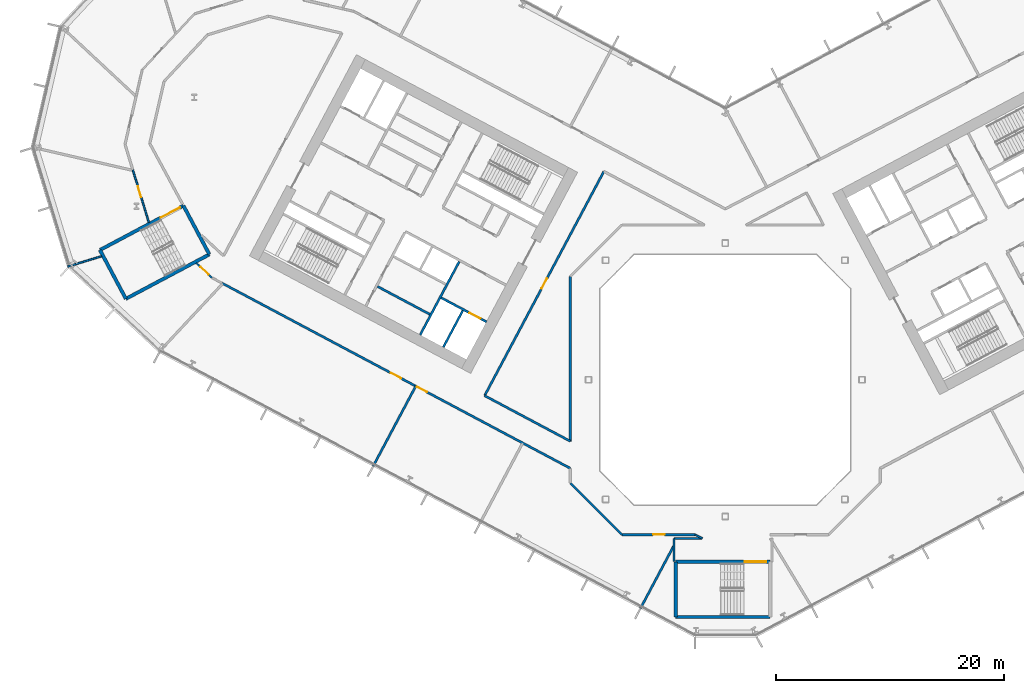
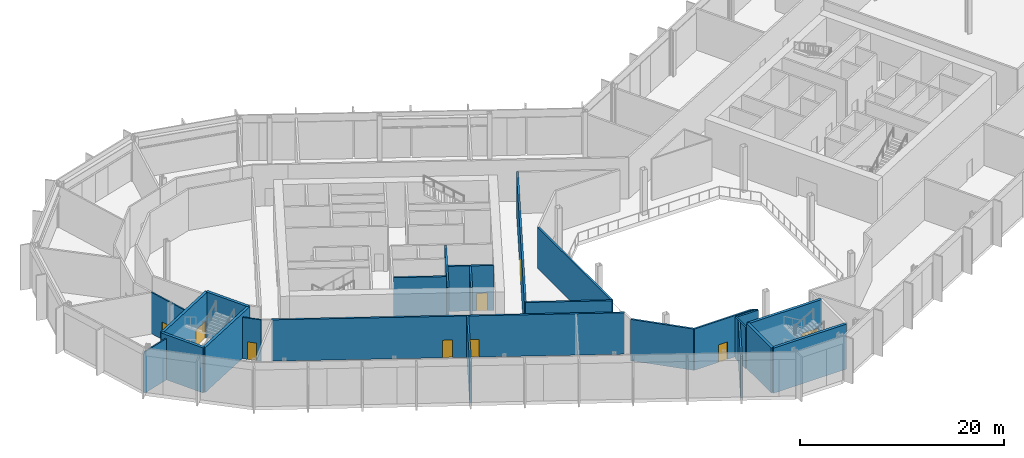
# One storey, part 12 of 32: 25 walls, 9 doors, 9 openings.
"""IFC4 building model written with IfcOpenShell, lengths in metres."""

from ifc_helpers import new_model, si_unit, direction, frame, frame_2d, origin, place, context, subcontext, project, spatial, rectangle, extrude, material, layer, layer_set, type_object, element, fill, save


model = new_model("IFC4")

# Units and contexts
model_context = context("Model", 3, precision=1e-05, world=origin(), true_north=direction((0.0, 1.0)))
body_context = subcontext(model_context, "Body", "Model", "MODEL_VIEW")
ifc_project = project(units=[si_unit("LENGTHUNIT", "METRE"), si_unit("AREAUNIT", "SQUARE_METRE"), si_unit("VOLUMEUNIT", "CUBIC_METRE"), si_unit("PLANEANGLEUNIT", "RADIAN"), si_unit("MASSUNIT", "GRAM", prefix="KILO")], contexts=[model_context])

# Site, building, storey
site_placement = place(None, origin())
site = spatial("IfcSite", under=ifc_project, at=site_placement, CompositionType="ELEMENT")
building_placement = place(site_placement, origin())
building = spatial("IfcBuilding", under=site, at=building_placement, Name="Cormorant Relay Tower", CompositionType="ELEMENT")
storey_placement = place(building_placement, frame((0.0, 0.0, 17.60009765625)))
storey = spatial("IfcBuildingStorey", under=building, at=storey_placement, Name="L03", CompositionType="ELEMENT", Elevation=17.60009765625)

# Walls
ifc_material_1 = material(Name="Concrete 40 MPa", Category="concrete")
ifc_layer_1 = layer(ifc_material_1, 0.199951171875)
ifc_layer_set_1 = layer_set([ifc_layer_1], Name="Core internal wall 200")
wall_type_1 = type_object("IfcWallType", Name="Core internal wall 200", PredefinedType="SOLIDWALL", material=ifc_layer_set_1)
wall_1_placement = place(storey_placement, frame((-25.936767578125, 5.74951171875, 0.0), z_axis=(0.0, 0.0, 1.0), x_axis=(-0.882934506056, 0.469496174655, 0.0)))
element("IfcWall", 1, at=wall_1_placement, inside=storey, type_object=wall_type_1, Name="L03 core A shaft and room wall", PredefinedType="SOLIDWALL", context=body_context, shape_type="SweptSolid", body=[
    extrude(rectangle(XDim=5.199951171875, YDim=0.199951171875, at=frame_2d((2.60009765625, 0.0))), origin(), (0.0, 0.0, 1.0), 5.39990234375),
])
ifc_material_2 = material(Name="Concrete 50 MPa", Category="concrete")
ifc_layer_2 = layer(ifc_material_2, 0.199951171875)
ifc_layer_set_2 = layer_set([ifc_layer_2], Name="Core shaft wall 200")
wall_type_2 = type_object("IfcWallType", Name="Core shaft wall 200", PredefinedType="SHEAR", material=ifc_layer_set_2)
wall_2_placement = place(storey_placement, frame((-23.04296875, 6.07958984375, 0.0), z_axis=(0.0, 0.0, 1.0), x_axis=(-0.469494272526, -0.882935517501, 0.0)))
element("IfcWall", 2, at=wall_2_placement, inside=storey, type_object=wall_type_2, Name="L03 core A shaft wall", PredefinedType="SHEAR", context=body_context, shape_type="SweptSolid", body=[
    extrude(rectangle(XDim=3.64990234375, YDim=0.199951171875, at=frame_2d((1.824951171875, 0.0))), origin(), (0.0, 0.0, 1.0), 5.39990234375),
])
wall_3_placement = place(storey_placement, frame((-23.360107421875, 10.38232421875, 0.0), z_axis=(0.0, 0.0, 1.0), x_axis=(-0.469480409012, -0.88294288918, 0.0)))
element("IfcWall", 3, at=wall_3_placement, inside=storey, type_object=wall_type_2, Name="L03 core A shaft wall", PredefinedType="SHEAR", context=body_context, shape_type="SweptSolid", body=[
    extrude(rectangle(XDim=7.300048828125, YDim=0.199951171875, at=frame_2d((3.64990234375, 0.0))), origin(), (0.0, 0.0, 1.0), 5.39990234375),
])

# Wall, opening, door
wall_4_placement = place(storey_placement, frame((-20.96533203125, 5.088134765625, 0.0), z_axis=(0.0, 0.0, 1.0), x_axis=(-0.882925986334, 0.469512196493, 0.0)))
wall_4 = element("IfcWall", 4, at=wall_4_placement, inside=storey, type_object=wall_type_2, Name="L03 core A shaft wall", PredefinedType="SHEAR", context=body_context, shape_type="SweptSolid", body=[
    extrude(rectangle(XDim=4.5, YDim=0.199951171875, at=frame_2d((2.25, 0.0))), origin(), (0.0, 0.0, 1.0), 5.39990234375),
])
opening_1_placement = place(wall_4_placement, frame((0.60009765625, 0.0, 0.0)))
opening_1 = element("IfcOpeningElement", 5, at=opening_1_placement, cuts=wall_4, Name="Opening LD1-019", PredefinedType="OPENING", context=body_context, shape_type="SweptSolid", body=[
    extrude(rectangle(XDim=1.10009765625, YDim=2.10009765625, at=frame_2d((0.550048828125, 1.050048828125))), frame((0.0, 0.10986328125, 0.0), z_axis=(0.0, -1.0, 0.0), x_axis=(1.0, 0.0, 0.0)), (0.0, 0.0, 1.0), 0.219970703125),
])
ifc_material_3 = material(Name="Stainless steel 316", Category="steel")
door_type_1 = type_object("IfcDoorType", Name="Lift landing door 1100x2100", OperationType="DOUBLE_DOOR_SLIDING", PredefinedType="DOOR", material=ifc_material_3)
door_1_placement = place(opening_1_placement, origin())
door_1 = element("IfcDoor", 6, at=door_1_placement, inside=storey, type_object=door_type_1, Name="FF1 landing door", OperationType="DOUBLE_DOOR_SLIDING", OverallHeight=2.10009765625, OverallWidth=1.10009765625, PredefinedType="DOOR", context=body_context, shape_type="SweptSolid", body=[
    extrude(rectangle(XDim=1.10009765625, YDim=2.10009765625, at=frame_2d((0.550048828125, 1.050048828125))), frame((0.0, 0.02490234375, 0.0), z_axis=(0.0, -1.0, 0.0), x_axis=(1.0, 0.0, 0.0)), (0.0, 0.0, 1.0), 0.050048828125),
])
fill(opening_1, door_1)

# Wall
ifc_material_4 = material(Name="Fire-rated gypsum board partition")
ifc_layer_3 = layer(ifc_material_4, 0.199951171875)
ifc_layer_set_3 = layer_set([ifc_layer_3], Name="Fire-rated gypsum partition 200")
wall_type_3 = type_object("IfcWallType", Name="Fire-rated gypsum partition 200", PredefinedType="PARTITIONING", material=ifc_layer_set_3)
wall_5_placement = place(storey_placement, frame((-27.176025390625, -0.556884765625, 0.0), z_axis=(0.0, 0.0, 1.0), x_axis=(-0.469551855795, -0.882904895625, 0.0)))
element("IfcWall", 7, at=wall_5_placement, inside=storey, type_object=wall_type_3, Name="wall/L03/part/11", PredefinedType="PARTITIONING", context=body_context, shape_type="SweptSolid", body=[
    extrude(rectangle(XDim=7.949951171875, YDim=0.199951171875, at=frame_2d((3.97509765625, 0.0))), origin(), (0.0, 0.0, 1.0), 4.949951171875),
])

# Wall, openings, doors
wall_6_placement = place(storey_placement, frame((-13.60009765625, -7.77490234375, 0.0), z_axis=(0.0, 0.0, 1.0), x_axis=(-0.882943264249, 0.469479703626, 0.0)))
wall_6 = element("IfcWall", 8, at=wall_6_placement, inside=storey, type_object=wall_type_3, Name="wall/L03/part/24", PredefinedType="PARTITIONING", context=body_context, shape_type="SweptSolid", body=[
    extrude(rectangle(XDim=34.63623046875, YDim=0.199951171875, at=frame_2d((17.318115234375, 0.0))), origin(), (0.0, 0.0, 1.0), 4.949951171875),
])
opening_2_placement = place(wall_6_placement, frame((16.85009765625, 0.0, 0.0)))
opening_2 = element("IfcOpeningElement", 9, at=opening_2_placement, cuts=wall_6, Name="Opening FD1-018", PredefinedType="OPENING", context=body_context, shape_type="SweptSolid", body=[
    extrude(rectangle(XDim=1.0, YDim=2.10009765625, at=frame_2d((0.5, 1.050048828125))), frame((0.0, 0.10986328125, 0.0), z_axis=(0.0, -1.0, 0.0), x_axis=(1.0, 0.0, 0.0)), (0.0, 0.0, 1.0), 0.219970703125),
])
opening_3_placement = place(wall_6_placement, frame((14.25, 0.0, 0.0)))
opening_3 = element("IfcOpeningElement", 10, at=opening_3_placement, cuts=wall_6, Name="Opening FD1-019", PredefinedType="OPENING", context=body_context, shape_type="SweptSolid", body=[
    extrude(rectangle(XDim=1.0, YDim=2.10009765625, at=frame_2d((0.5, 1.050048828125))), frame((0.0, 0.10986328125, 0.0), z_axis=(0.0, -1.0, 0.0), x_axis=(1.0, 0.0, 0.0)), (0.0, 0.0, 1.0), 0.219970703125),
])
ifc_material_5 = material(Name="Fire-rated steel door", Category="steel")
door_type_2 = type_object("IfcDoorType", Name="Fire door 1000 x 2100", OperationType="SINGLE_SWING_LEFT", PredefinedType="DOOR", material=ifc_material_5)
door_2_placement = place(opening_2_placement, origin())
door_2 = element("IfcDoor", 11, at=door_2_placement, inside=storey, type_object=door_type_2, Name="door/L03/21", OperationType="SINGLE_SWING_LEFT", OverallHeight=2.10009765625, OverallWidth=1.0, PredefinedType="DOOR", context=body_context, shape_type="SweptSolid", body=[
    extrude(rectangle(XDim=1.0, YDim=2.10009765625, at=frame_2d((0.5, 1.050048828125))), frame((0.0, 0.02490234375, 0.0), z_axis=(0.0, -1.0, 0.0), x_axis=(1.0, 0.0, 0.0)), (0.0, 0.0, 1.0), 0.050048828125),
])
fill(opening_2, door_2)
door_3_placement = place(opening_3_placement, origin())
door_3 = element("IfcDoor", 12, at=door_3_placement, inside=storey, type_object=door_type_2, Name="door/L03/22", OperationType="SINGLE_SWING_RIGHT", OverallHeight=2.10009765625, OverallWidth=1.0, PredefinedType="DOOR", context=body_context, shape_type="SweptSolid", body=[
    extrude(rectangle(XDim=1.0, YDim=2.10009765625, at=frame_2d((0.5, 1.050048828125))), frame((0.0, 0.02490234375, 0.0), z_axis=(0.0, -1.0, 0.0), x_axis=(1.0, 0.0, 0.0)), (0.0, 0.0, 1.0), 0.050048828125),
])
fill(opening_3, door_3)

# Wall
wall_7_placement = place(storey_placement, frame((-13.60009765625, -9.076904296875, 0.0), z_axis=(0.0, 0.0, 1.0), x_axis=(0.707106781187, -0.707106781187, 0.0)))
element("IfcWall", 13, at=wall_7_placement, inside=storey, type_object=wall_type_3, Name="wall/L03/part/37", PredefinedType="PARTITIONING", context=body_context, shape_type="SweptSolid", body=[
    extrude(rectangle(XDim=6.396728515625, YDim=0.199951171875, at=frame_2d((3.1982421875, 0.0))), origin(), (0.0, 0.0, 1.0), 4.949951171875),
])

# Wall, opening, door
wall_8_placement = place(storey_placement, frame((-9.076904296875, -13.60009765625, 0.0), z_axis=(0.0, 0.0, 1.0), x_axis=(0.999999878252, 0.000493452208, 0.0)))
wall_8 = element("IfcWall", 14, at=wall_8_placement, inside=storey, type_object=wall_type_3, Name="wall/L03/part/39", PredefinedType="PARTITIONING", context=body_context, shape_type="SweptSolid", body=[
    extrude(rectangle(XDim=6.431884765625, YDim=0.199951171875, at=frame_2d((3.2158203125, 0.0))), origin(), (0.0, 0.0, 1.0), 4.949951171875),
])
opening_4_placement = place(wall_8_placement, frame((2.75, 0.0, 0.0)))
opening_4 = element("IfcOpeningElement", 15, at=opening_4_placement, cuts=wall_8, Name="Opening FD1-020", PredefinedType="OPENING", context=body_context, shape_type="SweptSolid", body=[
    extrude(rectangle(XDim=1.0, YDim=2.10009765625, at=frame_2d((0.5, 1.050048828125))), frame((0.0, 0.10986328125, 0.0), z_axis=(0.0, -1.0, 0.0), x_axis=(1.0, 0.0, 0.0)), (0.0, 0.0, 1.0), 0.219970703125),
])
door_4_placement = place(opening_4_placement, frame((1.0, 0.0, 0.0), z_axis=(0.0, 0.0, 1.0), x_axis=(-1.0, 0.0, 0.0)))
door_4 = element("IfcDoor", 16, at=door_4_placement, inside=storey, type_object=door_type_2, Name="door/L03/23", OperationType="SINGLE_SWING_LEFT", OverallHeight=2.10009765625, OverallWidth=1.0, PredefinedType="DOOR", context=body_context, shape_type="SweptSolid", body=[
    extrude(rectangle(XDim=1.0, YDim=2.10009765625, at=frame_2d((0.5, 1.050048828125))), frame((0.0, 0.02490234375, 0.0), z_axis=(0.0, -1.0, 0.0), x_axis=(1.0, 0.0, 0.0)), (0.0, 0.0, 1.0), 0.050048828125),
])
fill(opening_4, door_4)

# Walls
wall_9_placement = place(storey_placement, frame((-2.02197265625, -13.927978515625, 0.0), z_axis=(0.0, 0.0, 1.0), x_axis=(-0.999999301124, 0.001182265184, 0.0)))
element("IfcWall", 17, at=wall_9_placement, inside=storey, type_object=wall_type_3, Name="wall/L03/part/41", PredefinedType="PARTITIONING", context=body_context, shape_type="SweptSolid", body=[
    extrude(rectangle(XDim=2.47802734375, YDim=0.199951171875, at=frame_2d((1.239013671875, 0.0))), origin(), (0.0, 0.0, 1.0), 4.949951171875),
])
wall_10_placement = place(storey_placement, frame((-4.5, -13.925048828125, 0.0), z_axis=(0.0, 0.0, 1.0), x_axis=(0.0, -1.0, 0.0)))
element("IfcWall", 18, at=wall_10_placement, inside=storey, type_object=wall_type_3, Name="wall/L03/part/42", PredefinedType="PARTITIONING", context=body_context, shape_type="SweptSolid", body=[
    extrude(rectangle(XDim=2.050048828125, YDim=0.199951171875, at=frame_2d((1.02490234375, 0.0))), origin(), (0.0, 0.0, 1.0), 4.949951171875),
])
wall_11_placement = place(storey_placement, frame((-4.5, -14.532958984375, 0.0), z_axis=(0.0, 0.0, 1.0), x_axis=(-0.469522352041, -0.882920585859, 0.0)))
element("IfcWall", 19, at=wall_11_placement, inside=storey, type_object=wall_type_3, Name="wall/L03/part/43", PredefinedType="PARTITIONING", context=body_context, shape_type="SweptSolid", body=[
    extrude(rectangle(XDim=6.25537109375, YDim=0.199951171875, at=frame_2d((3.127685546875, 0.0))), origin(), (0.0, 0.0, 1.0), 4.949951171875),
])

# Wall, opening, door
wall_12_placement = place(storey_placement, frame((-21.1279296875, -1.39404296875, 0.0), z_axis=(0.0, 0.0, 1.0), x_axis=(0.46951219964, 0.882925984661, 0.0)))
wall_12 = element("IfcWall", 20, at=wall_12_placement, inside=storey, type_object=wall_type_3, Name="wall/L03/part/75", PredefinedType="PARTITIONING", context=body_context, shape_type="SweptSolid", body=[
    extrude(rectangle(XDim=22.299560546875, YDim=0.199951171875, at=frame_2d((11.14990234375, 0.0))), origin(), (0.0, 0.0, 1.0), 4.949951171875),
])
opening_5_placement = place(wall_12_placement, frame((10.64990234375, 0.0, 0.0)))
opening_5 = element("IfcOpeningElement", 21, at=opening_5_placement, cuts=wall_12, Name="Opening FD1-017", PredefinedType="OPENING", context=body_context, shape_type="SweptSolid", body=[
    extrude(rectangle(XDim=1.0, YDim=2.10009765625, at=frame_2d((0.5, 1.050048828125))), frame((0.0, 0.10986328125, 0.0), z_axis=(0.0, -1.0, 0.0), x_axis=(1.0, 0.0, 0.0)), (0.0, 0.0, 1.0), 0.219970703125),
])
door_5_placement = place(opening_5_placement, frame((1.0, 0.0, 0.0), z_axis=(0.0, 0.0, 1.0), x_axis=(-1.0, 0.0, 0.0)))
door_5 = element("IfcDoor", 22, at=door_5_placement, inside=storey, type_object=door_type_2, Name="door/L03/2", OperationType="SINGLE_SWING_LEFT", OverallHeight=2.10009765625, OverallWidth=1.0, PredefinedType="DOOR", context=body_context, shape_type="SweptSolid", body=[
    extrude(rectangle(XDim=1.0, YDim=2.10009765625, at=frame_2d((0.5, 1.050048828125))), frame((0.0, 0.02490234375, 0.0), z_axis=(0.0, -1.0, 0.0), x_axis=(1.0, 0.0, 0.0)), (0.0, 0.0, 1.0), 0.050048828125),
])
fill(opening_5, door_5)

# Walls
wall_13_placement = place(storey_placement, frame((-13.60009765625, 9.076904296875, 0.0), z_axis=(0.0, 0.0, 1.0), x_axis=(0.0, -1.0, 0.0)))
element("IfcWall", 23, at=wall_13_placement, inside=storey, type_object=wall_type_3, Name="wall/L03/part/79", PredefinedType="PARTITIONING", context=body_context, shape_type="SweptSolid", body=[
    extrude(rectangle(XDim=14.473876953125, YDim=0.199951171875, at=frame_2d((7.23681640625, 0.0))), origin(), (0.0, 0.0, 1.0), 4.949951171875),
])
wall_14_placement = place(storey_placement, frame((-13.60009765625, -5.39697265625, 0.0), z_axis=(0.0, 0.0, 1.0), x_axis=(-0.882932501381, 0.469499944627, 0.0)))
element("IfcWall", 24, at=wall_14_placement, inside=storey, type_object=wall_type_3, Name="wall/L03/part/80", PredefinedType="PARTITIONING", context=body_context, shape_type="SweptSolid", body=[
    extrude(rectangle(XDim=8.52587890625, YDim=0.199951171875, at=frame_2d((4.262939453125, 0.0))), origin(), (0.0, 0.0, 1.0), 4.949951171875),
])
ifc_material_6 = material(Name="Gypsum board partition")
ifc_layer_4 = layer(ifc_material_6, 0.14990234375)
ifc_layer_set_4 = layer_set([ifc_layer_4], Name="Gypsum board partition 150")
wall_type_4 = type_object("IfcWallType", Name="Gypsum board partition 150", PredefinedType="PARTITIONING", material=ifc_layer_set_4)
wall_15_placement = place(storey_placement, frame((-54.7607421875, 10.847900390625, 0.0), z_axis=(0.0, 0.0, 1.0), x_axis=(-0.956301064033, -0.29238378021, 0.0)))
element("IfcWall", 25, at=wall_15_placement, inside=storey, type_object=wall_type_4, Name="wall/L03/part/3", PredefinedType="PARTITIONING", context=body_context, shape_type="SweptSolid", body=[
    extrude(rectangle(XDim=3.115478515625, YDim=0.14990234375, at=frame_2d((1.5576171875, 0.0))), origin(), (0.0, 0.0, 1.0), 4.949951171875),
])

# Wall, opening, door
wall_16_placement = place(storey_placement, frame((-50.609619140625, 13.82861328125, 0.0), z_axis=(0.0, 0.0, 1.0), x_axis=(-0.292136082749, 0.956376761092, 0.0)))
wall_16 = element("IfcWall", 26, at=wall_16_placement, inside=storey, type_object=wall_type_4, Name="wall/L03/part/6", PredefinedType="PARTITIONING", context=body_context, shape_type="SweptSolid", body=[
    extrude(rectangle(XDim=4.814453125, YDim=0.14990234375, at=frame_2d((2.4072265625, 0.0))), origin(), (0.0, 0.0, 1.0), 4.949951171875),
])
opening_6_placement = place(wall_16_placement, frame((2.31494140625, 0.0, 0.0)))
opening_6 = element("IfcOpeningElement", 27, at=opening_6_placement, cuts=wall_16, Name="Opening D1-014", PredefinedType="OPENING", context=body_context, shape_type="SweptSolid", body=[
    extrude(rectangle(XDim=1.0, YDim=2.10009765625, at=frame_2d((0.5, 1.050048828125))), frame((0.0, 0.0849609375, 0.0), z_axis=(0.0, -1.0, 0.0), x_axis=(1.0, 0.0, 0.0)), (0.0, 0.0, 1.0), 0.169921875),
])
ifc_material_7 = material(Name="Painted steel door", Category="steel")
door_type_3 = type_object("IfcDoorType", Name="Single door 1000 x 2100", OperationType="SINGLE_SWING_LEFT", PredefinedType="DOOR", material=ifc_material_7)
door_6_placement = place(opening_6_placement, origin())
door_6 = element("IfcDoor", 28, at=door_6_placement, inside=storey, type_object=door_type_3, Name="door/L03/19", OperationType="SINGLE_SWING_RIGHT", OverallHeight=2.10009765625, OverallWidth=1.0, PredefinedType="DOOR", context=body_context, shape_type="SweptSolid", body=[
    extrude(rectangle(XDim=1.0, YDim=2.10009765625, at=frame_2d((0.5, 1.050048828125))), frame((0.0, 0.02490234375, 0.0), z_axis=(0.0, -1.0, 0.0), x_axis=(1.0, 0.0, 0.0)), (0.0, 0.0, 1.0), 0.050048828125),
])
fill(opening_6, door_6)

wall_17_placement = place(storey_placement, frame((-45.052001953125, 8.947998046875, 0.0), z_axis=(0.0, 0.0, 1.0), x_axis=(-0.731400259701, 0.681948429215, 0.0)))
wall_17 = element("IfcWall", 29, at=wall_17_placement, inside=storey, type_object=wall_type_4, Name="wall/L03/part/22", PredefinedType="PARTITIONING", context=body_context, shape_type="SweptSolid", body=[
    extrude(rectangle(XDim=1.90576171875, YDim=0.14990234375, at=frame_2d((0.952880859375, 0.0))), origin(), (0.0, 0.0, 1.0), 4.949951171875),
])
opening_7_placement = place(wall_17_placement, frame((0.449951171875, 0.0, 0.0)))
opening_7 = element("IfcOpeningElement", 30, at=opening_7_placement, cuts=wall_17, Name="Opening D2-004", PredefinedType="OPENING", context=body_context, shape_type="SweptSolid", body=[
    extrude(rectangle(XDim=0.949951171875, YDim=2.10009765625, at=frame_2d((0.47509765625, 1.050048828125))), frame((0.0, 0.0849609375, 0.0), z_axis=(0.0, -1.0, 0.0), x_axis=(1.0, 0.0, 0.0)), (0.0, 0.0, 1.0), 0.169921875),
])
ifc_material_8 = material(Name="Timber door", Category="wood")
door_type_4 = type_object("IfcDoorType", Name="Toilet door 950 x 2100", OperationType="SINGLE_SWING_LEFT", PredefinedType="DOOR", material=ifc_material_8)
door_7_placement = place(opening_7_placement, origin())
door_7 = element("IfcDoor", 31, at=door_7_placement, inside=storey, type_object=door_type_4, Name="door/L03/20", OperationType="SINGLE_SWING_RIGHT", OverallHeight=2.10009765625, OverallWidth=0.949951171875, PredefinedType="DOOR", context=body_context, shape_type="SweptSolid", body=[
    extrude(rectangle(XDim=0.949951171875, YDim=2.10009765625, at=frame_2d((0.47509765625, 1.050048828125))), frame((0.0, 0.02490234375, 0.0), z_axis=(0.0, -1.0, 0.0), x_axis=(1.0, 0.0, 0.0)), (0.0, 0.0, 1.0), 0.050048828125),
])
fill(opening_7, door_7)

# Walls
wall_18_placement = place(storey_placement, frame((-2.64501953125, -13.596923828125, 0.0), z_axis=(0.0, 0.0, 1.0), x_axis=(0.883079874776, -0.469222692083, 0.0)))
element("IfcWall", 32, at=wall_18_placement, inside=storey, type_object=wall_type_4, Name="wall/L03/part/40", PredefinedType="PARTITIONING", context=body_context, shape_type="SweptSolid", body=[
    extrude(rectangle(XDim=0.70556640625, YDim=0.14990234375, at=frame_2d((0.352783203125, 0.0))), origin(), (0.0, 0.0, 1.0), 4.949951171875),
])
ifc_material_9 = material(Name="Concrete 50 MPa", Category="concrete")
ifc_layer_5 = layer(ifc_material_9, 0.300048828125)
ifc_layer_set_5 = layer_set([ifc_layer_5], Name="Remote stair wall 300")
wall_type_5 = type_object("IfcWallType", Name="Remote stair wall 300", PredefinedType="SHEAR", material=ifc_layer_set_5)
wall_19_placement = place(storey_placement, frame((3.949951171875, -20.824951171875, 0.0), z_axis=(0.0, 0.0, 1.0), x_axis=(-1.0, 0.0, 0.0)))
element("IfcWall", 33, at=wall_19_placement, inside=storey, type_object=wall_type_5, Name="L03 exit stair RK1 wall", PredefinedType="SHEAR", context=body_context, shape_type="SweptSolid", body=[
    extrude(rectangle(XDim=8.300048828125, YDim=0.300048828125, at=frame_2d((4.14990234375, 0.0))), origin(), (0.0, 0.0, 1.0), 5.39990234375),
])
wall_20_placement = place(storey_placement, frame((-4.35009765625, -20.824951171875, 0.0), z_axis=(0.0, 0.0, 1.0), x_axis=(0.0, 1.0, 0.0)))
element("IfcWall", 34, at=wall_20_placement, inside=storey, type_object=wall_type_5, Name="L03 exit stair RK1 wall", PredefinedType="SHEAR", context=body_context, shape_type="SweptSolid", body=[
    extrude(rectangle(XDim=4.849853515625, YDim=0.300048828125, at=frame_2d((2.4248046875, 0.0))), origin(), (0.0, 0.0, 1.0), 5.39990234375),
])

# Wall, opening, door
wall_21_placement = place(storey_placement, frame((-4.35009765625, -15.97509765625, 0.0), z_axis=(0.0, 0.0, 1.0), x_axis=(1.0, 0.0, 0.0)))
wall_21 = element("IfcWall", 35, at=wall_21_placement, inside=storey, type_object=wall_type_5, Name="L03 exit stair RK1 wall", PredefinedType="SHEAR", context=body_context, shape_type="SweptSolid", body=[
    extrude(rectangle(XDim=8.300048828125, YDim=0.300048828125, at=frame_2d((4.14990234375, 0.0))), origin(), (0.0, 0.0, 1.0), 5.39990234375),
])
opening_8_placement = place(wall_21_placement, frame((6.050048828125, 0.0, 0.0)))
opening_8 = element("IfcOpeningElement", 36, at=opening_8_placement, cuts=wall_21, Name="Opening CDE-006", PredefinedType="OPENING", context=body_context, shape_type="SweptSolid", body=[
    extrude(rectangle(XDim=1.89990234375, YDim=2.10009765625, at=frame_2d((0.949951171875, 1.050048828125))), frame((0.0, 0.159912109375, 0.0), z_axis=(0.0, -1.0, 0.0), x_axis=(1.0, 0.0, 0.0)), (0.0, 0.0, 1.0), 0.320068359375),
])
ifc_material_10 = material(Name="Steel fire door", Category="steel")
door_type_5 = type_object("IfcDoorType", Name="Remote stair door 1900x2100", OperationType="DOUBLE_DOOR_SINGLE_SWING", PredefinedType="DOOR", material=ifc_material_10)
door_8_placement = place(opening_8_placement, frame((1.89990234375, 0.0, 0.0), z_axis=(0.0, 0.0, 1.0), x_axis=(-1.0, 0.0, 0.0)))
door_8 = element("IfcDoor", 37, at=door_8_placement, inside=storey, type_object=door_type_5, Name="Exit stair RK1 door", OperationType="DOUBLE_DOOR_SINGLE_SWING", OverallHeight=2.10009765625, OverallWidth=1.89990234375, PredefinedType="DOOR", context=body_context, shape_type="SweptSolid", body=[
    extrude(rectangle(XDim=1.89990234375, YDim=2.10009765625, at=frame_2d((0.949951171875, 1.050048828125))), frame((0.0, 0.02490234375, 0.0), z_axis=(0.0, -1.0, 0.0), x_axis=(1.0, 0.0, 0.0)), (0.0, 0.0, 1.0), 0.050048828125),
])
fill(opening_8, door_8)

# Walls
wall_22_placement = place(storey_placement, frame((-47.57421875, 15.28955078125, 0.0), z_axis=(0.0, 0.0, 1.0), x_axis=(0.469443498566, -0.882962514297, 0.0)))
element("IfcWall", 38, at=wall_22_placement, inside=storey, type_object=wall_type_5, Name="L03 exit stair RP1 wall", PredefinedType="SHEAR", context=body_context, shape_type="SweptSolid", body=[
    extrude(rectangle(XDim=4.85009765625, YDim=0.300048828125, at=frame_2d((2.425048828125, 0.0))), origin(), (0.0, 0.0, 1.0), 5.39990234375),
])
wall_23_placement = place(storey_placement, frame((-45.29736328125, 11.007080078125, 0.0), z_axis=(0.0, 0.0, 1.0), x_axis=(-0.882951519127, -0.469464178475, 0.0)))
element("IfcWall", 39, at=wall_23_placement, inside=storey, type_object=wall_type_5, Name="L03 exit stair RP1 wall", PredefinedType="SHEAR", context=body_context, shape_type="SweptSolid", body=[
    extrude(rectangle(XDim=8.2998046875, YDim=0.300048828125, at=frame_2d((4.14990234375, 0.0))), origin(), (0.0, 0.0, 1.0), 5.39990234375),
])
wall_24_placement = place(storey_placement, frame((-52.625732421875, 7.110595703125, 0.0), z_axis=(0.0, 0.0, 1.0), x_axis=(-0.469464364128, 0.882951420416, 0.0)))
element("IfcWall", 40, at=wall_24_placement, inside=storey, type_object=wall_type_5, Name="L03 exit stair RP1 wall", PredefinedType="SHEAR", context=body_context, shape_type="SweptSolid", body=[
    extrude(rectangle(XDim=4.849853515625, YDim=0.300048828125, at=frame_2d((2.4248046875, 0.0))), origin(), (0.0, 0.0, 1.0), 5.39990234375),
])

# Wall, opening, door
wall_25_placement = place(storey_placement, frame((-54.902587890625, 11.392822265625, 0.0), z_axis=(0.0, 0.0, 1.0), x_axis=(0.882939326045, 0.469487110071, 0.0)))
wall_25 = element("IfcWall", 41, at=wall_25_placement, inside=storey, type_object=wall_type_5, Name="L03 exit stair RP1 wall", PredefinedType="SHEAR", context=body_context, shape_type="SweptSolid", body=[
    extrude(rectangle(XDim=8.300048828125, YDim=0.300048828125, at=frame_2d((4.14990234375, 0.0))), origin(), (0.0, 0.0, 1.0), 5.39990234375),
])
opening_9_placement = place(wall_25_placement, frame((6.050048828125, 0.0, 0.0)))
opening_9 = element("IfcOpeningElement", 42, at=opening_9_placement, cuts=wall_25, Name="Opening CDE-007", PredefinedType="OPENING", context=body_context, shape_type="SweptSolid", body=[
    extrude(rectangle(XDim=1.89990234375, YDim=2.10009765625, at=frame_2d((0.949951171875, 1.050048828125))), frame((0.0, 0.159912109375, 0.0), z_axis=(0.0, -1.0, 0.0), x_axis=(1.0, 0.0, 0.0)), (0.0, 0.0, 1.0), 0.320068359375),
])
door_9_placement = place(opening_9_placement, frame((1.89990234375, 0.0, 0.0), z_axis=(0.0, 0.0, 1.0), x_axis=(-1.0, 0.0, 0.0)))
door_9 = element("IfcDoor", 43, at=door_9_placement, inside=storey, type_object=door_type_5, Name="Exit stair RP1 door", OperationType="DOUBLE_DOOR_SINGLE_SWING", OverallHeight=2.10009765625, OverallWidth=1.89990234375, PredefinedType="DOOR", context=body_context, shape_type="SweptSolid", body=[
    extrude(rectangle(XDim=1.89990234375, YDim=2.10009765625, at=frame_2d((0.949951171875, 1.050048828125))), frame((0.0, 0.02490234375, 0.0), z_axis=(0.0, -1.0, 0.0), x_axis=(1.0, 0.0, 0.0)), (0.0, 0.0, 1.0), 0.050048828125),
])
fill(opening_9, door_9)

save(model, "model.ifc")
